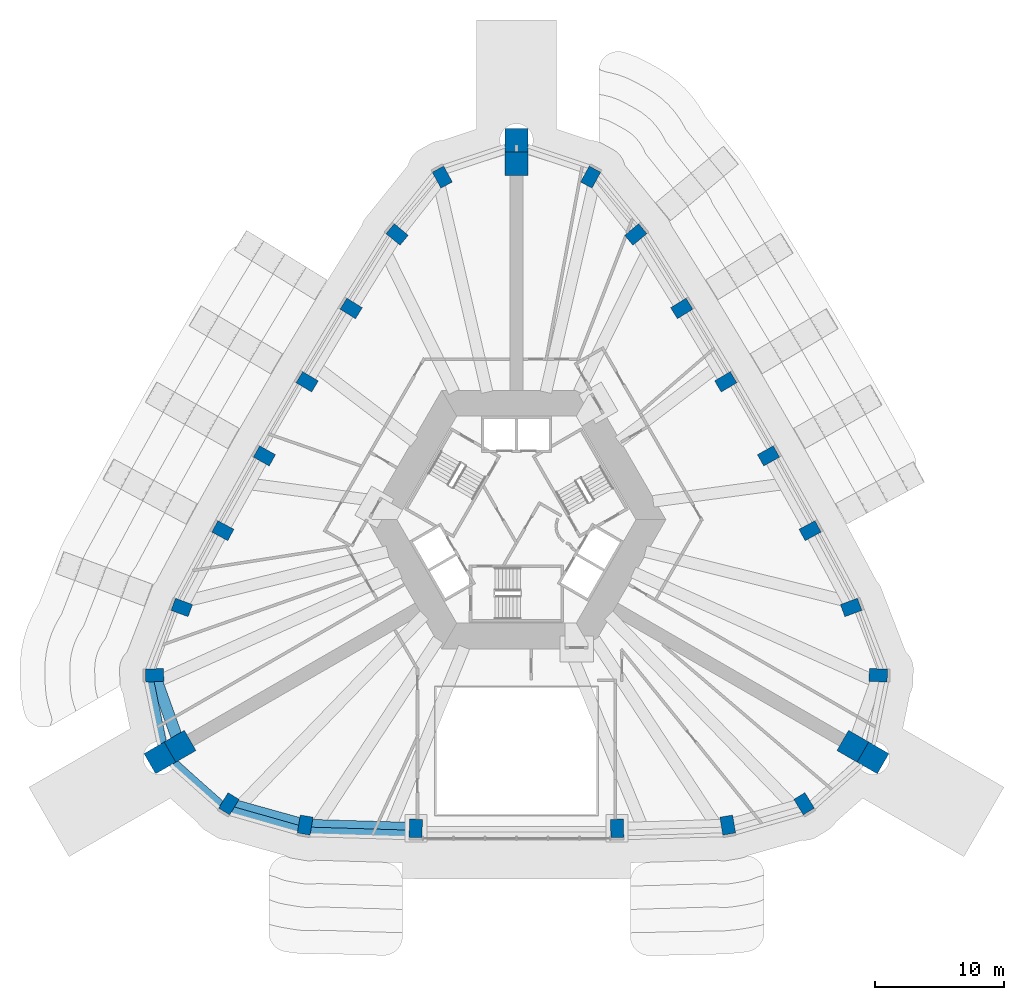
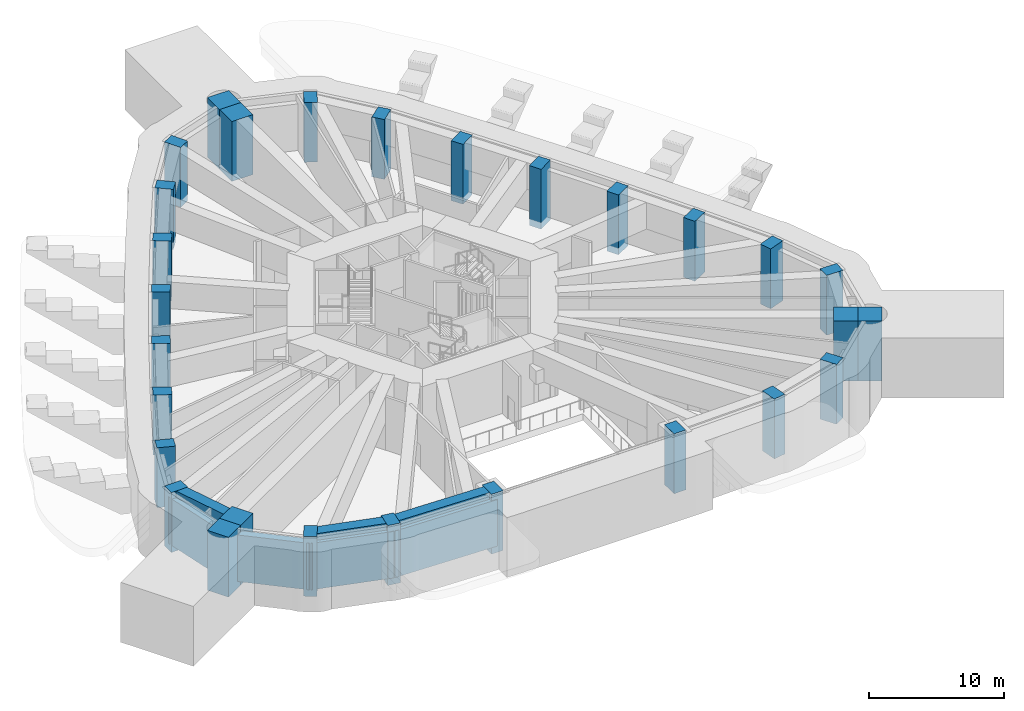
# One storey, part 1 of 16: 28 columns, 4 members, 3 beams.
"""IFC4 building model written with IfcOpenShell, lengths in metres."""

import ifcopenshell
import ifcopenshell.guid

model = None  # the IFC model being written
_history = None  # IfcOwnerHistory: only IFC2X3 demands one
_inside = {}  # id of a spatial element -> (the spatial element, [elements in it])
_under = {}  # id of a project, library or spatial element -> (it, [spatial elements below it])
_declared = {}  # id of a project -> (the project, [libraries it declares])
_typed = {}  # id of a type object -> (the type object, [elements of that type])
_made_of = {}  # id of a material, layer set ... -> (it, [elements and type objects made of it])


def new_model(schema):
    """Start an empty IFC model of exactly this schema.

    Asked for "IFC4X3", IfcOpenShell would pick the latest addendum, in which some entities
    have other attributes; the version numbers below select the first issue.
    IFC2X3 requires an IfcOwnerHistory on every rooted entity: one is made here for all.
    """
    global model, _history
    if schema == "IFC4X3":
        model = ifcopenshell.file(schema_version=(4, 3, 0, 0))
    else:
        model = ifcopenshell.file(schema=schema)
    _inside.clear()
    _under.clear()
    _declared.clear()
    _typed.clear()
    _made_of.clear()
    _history = None
    if model.schema == "IFC2X3":
        org = make("IfcOrganization", Name="unknown")
        user = make(
            "IfcPersonAndOrganization",
            ThePerson=make("IfcPerson", FamilyName="unknown"),
            TheOrganization=org,
        )
        app = make(
            "IfcApplication",
            ApplicationDeveloper=org,
            Version="unknown",
            ApplicationFullName="unknown",
            ApplicationIdentifier="unknown",
        )
        _history = make(
            "IfcOwnerHistory",
            OwningUser=user,
            OwningApplication=app,
            ChangeAction="ADDED",
            CreationDate=0,
        )
    return model


def make(cls, **values):
    """One entity of the class cls with the attributes given. An attribute that is None is left unset."""
    return model.create_entity(
        cls, **{name: value for name, value in values.items() if value is not None}
    )


def rooted(cls, **values):
    """An entity with a GlobalId (a new one), such as an element, a storey or a relation."""
    return make(cls, GlobalId=ifcopenshell.guid.new(), OwnerHistory=_history, **values)


def si_unit(unit_type, name, prefix=None):
    """IfcSIUnit, for example si_unit("LENGTHUNIT", "METRE", prefix="MILLI")."""
    return make("IfcSIUnit", UnitType=unit_type, Prefix=prefix, Name=name)


def assignment(units):
    """IfcUnitAssignment: the units of a project."""
    return None if units is None else make("IfcUnitAssignment", Units=units)


def point(xyz):
    """IfcCartesianPoint."""
    return None if xyz is None else make("IfcCartesianPoint", Coordinates=xyz)


def direction(xyz):
    """IfcDirection."""
    return None if xyz is None else make("IfcDirection", DirectionRatios=xyz)


def frame(location, z_axis=None, x_axis=None):
    """IfcAxis2Placement3D, a coordinate frame: its origin and axes. An axis left out is left unset."""
    return make(
        "IfcAxis2Placement3D",
        Location=point(location),
        Axis=direction(z_axis),
        RefDirection=direction(x_axis),
    )


def frame_2d(location, x_axis=None):
    """IfcAxis2Placement2D, a coordinate frame in the plane: its origin and x axis."""
    return make(
        "IfcAxis2Placement2D", Location=point(location), RefDirection=direction(x_axis)
    )


def origin():
    """The frame at (0, 0, 0) with its axes left unset."""
    return frame((0.0, 0.0, 0.0))


def origin_2d():
    """The frame at (0, 0) in the plane with its x axis left unset."""
    return frame_2d((0.0, 0.0))


def place(relative_to, where):
    """IfcLocalPlacement: puts the frame where relative to a parent placement (None: the world)."""
    return make(
        "IfcLocalPlacement", PlacementRelTo=relative_to, RelativePlacement=where
    )


def context(
    kind, dimensions, precision=None, world=None, true_north=None, identifier=None
):
    """IfcGeometricRepresentationContext, for example the 3D "Model" context."""
    return make(
        "IfcGeometricRepresentationContext",
        ContextIdentifier=identifier,
        ContextType=kind,
        CoordinateSpaceDimension=dimensions,
        Precision=precision,
        WorldCoordinateSystem=world,
        TrueNorth=true_north,
    )


def subcontext(parent, identifier, kind, view, scale=None):
    """IfcGeometricRepresentationSubContext, for example "Body" below "Model"."""
    return make(
        "IfcGeometricRepresentationSubContext",
        ContextIdentifier=identifier,
        ContextType=kind,
        ParentContext=parent,
        TargetScale=scale,
        TargetView=view,
    )


def project(units=None, contexts=None):
    """IfcProject with its units and contexts."""
    return rooted(
        "IfcProject",
        Name="project",
        RepresentationContexts=contexts,
        UnitsInContext=assignment(units),
    )


def spatial(cls, under=None, at=None, **own):
    """A site, building, storey or space (cls), placed at a placement, below another one or the project."""
    s = rooted(cls, ObjectPlacement=at, **own)
    if under is not None:
        _under.setdefault(under.id(), (under, []))[1].append(s)
    return s


def profile(cls, at=None, kind="AREA", **sizes):
    """A parametric profile (cls). Its sizes go by their IFC names, for example OverallWidth=200.0."""
    return make(cls, ProfileType=kind, Position=at, **sizes)


def rectangle(**sizes):
    """IfcRectangleProfileDef."""
    return profile("IfcRectangleProfileDef", **sizes)


def extrude(swept, where, along, depth):
    """IfcExtrudedAreaSolid: the profile swept, set in the frame where, extruded along a direction by depth."""
    return make(
        "IfcExtrudedAreaSolid",
        SweptArea=swept,
        Position=where,
        ExtrudedDirection=direction(along),
        Depth=depth,
    )


def shape(context_of_items, identifier, shape_type, items):
    """IfcShapeRepresentation: the items that make up one representation, for example the "Body"."""
    return make(
        "IfcShapeRepresentation",
        ContextOfItems=context_of_items,
        RepresentationIdentifier=identifier,
        RepresentationType=shape_type,
        Items=items,
    )


def material(Name=None, Category=None):
    """IfcMaterial."""
    return make("IfcMaterial", Name=Name, Category=Category)


def material_profile(
    of_material, cross_section, Name=None, Category=None, Priority=None
):
    """IfcMaterialProfile: a cross section and its material."""
    return make(
        "IfcMaterialProfile",
        Name=Name,
        Material=of_material,
        Profile=cross_section,
        Priority=Priority,
        Category=Category,
    )


def profile_set(profiles, Name=None, composite=None):
    """IfcMaterialProfileSet."""
    return make(
        "IfcMaterialProfileSet",
        Name=Name,
        MaterialProfiles=profiles,
        CompositeProfile=composite,
    )


def made_of(thing, what):
    """Note that an element or type object is made of a material, layer set ...; save() writes the relation."""
    if what is not None:
        _made_of.setdefault(what.id(), (what, []))[1].append(thing)
    return thing


def type_object(cls, material=None, **own):
    """A type object (cls), such as IfcWallType, which elements share."""
    return made_of(rooted(cls, **own), material)


def element(
    cls,
    number,
    at=None,
    inside=None,
    cuts=None,
    type_object=None,
    material=None,
    context=None,
    identifier="Body",
    shape_type=None,
    held_by="IfcProductDefinitionShape",
    body=None,
    shapes=None,
    **own,
):
    """One element of the class cls, such as IfcWall. Its Tag is "e" and its number.

    at: its placement. inside: the storey or other place that contains it. cuts: it is an
    opening in that element (IfcRelVoidsElement). A single representation is given by context,
    identifier, shape_type and body (its items); several are given by shapes. held_by: the class
    of the entity that holds the representations. save() writes the other relations.
    """
    e = rooted(cls, Tag="e%d" % number, ObjectPlacement=at, **own)
    if body is not None:
        shapes = [shape(context, identifier, shape_type, body)]
    if shapes is not None:
        e.Representation = make(held_by, Representations=shapes)
    if inside is not None:
        _inside.setdefault(inside.id(), (inside, []))[1].append(e)
    if cuts is not None:
        rooted(
            "IfcRelVoidsElement", RelatingBuildingElement=cuts, RelatedOpeningElement=e
        )
    if type_object is not None:
        _typed.setdefault(type_object.id(), (type_object, []))[1].append(e)
    return made_of(e, material)


def aggregate(whole, parts):
    """IfcRelAggregates: a whole, such as a stair, and the parts it consists of."""
    return rooted("IfcRelAggregates", RelatingObject=whole, RelatedObjects=parts)


def save(model, path):
    """Write the relations noted so far, then the file.

    IfcRelAggregates (storeys below a building ...), IfcRelContainedInSpatialStructure (elements
    in a storey), IfcRelDefinesByType, IfcRelAssociatesMaterial and IfcRelDeclares: one each for
    every whole, place, type object, material and project.
    """
    for whole, parts in _under.values():
        aggregate(whole, parts)
    for where, things in _inside.values():
        rooted(
            "IfcRelContainedInSpatialStructure",
            RelatedElements=things,
            RelatingStructure=where,
        )
    for kind, things in _typed.values():
        rooted("IfcRelDefinesByType", RelatedObjects=things, RelatingType=kind)
    for what, things in _made_of.values():
        rooted("IfcRelAssociatesMaterial", RelatedObjects=things, RelatingMaterial=what)
    for by, libraries in _declared.values():
        rooted("IfcRelDeclares", RelatingContext=by, RelatedDefinitions=libraries)
    model.write(path)


model = new_model("IFC4")

# Units and contexts
model_context = context("Model", 3, precision=1e-05, world=origin(), true_north=direction((0.0, 1.0)))
body_context = subcontext(model_context, "Body", "Model", "MODEL_VIEW")
ifc_project = project(units=[si_unit("LENGTHUNIT", "METRE"), si_unit("AREAUNIT", "SQUARE_METRE"), si_unit("VOLUMEUNIT", "CUBIC_METRE"), si_unit("PLANEANGLEUNIT", "RADIAN"), si_unit("MASSUNIT", "GRAM", prefix="KILO")], contexts=[model_context])

# Site, building, storey
site_placement = place(None, origin())
site = spatial("IfcSite", under=ifc_project, at=site_placement, CompositionType="ELEMENT")
building_placement = place(site_placement, origin())
building = spatial("IfcBuilding", under=site, at=building_placement, Name="Entoto Arch Interchange Tower", CompositionType="ELEMENT")
storey_placement = place(building_placement, frame((0.0, 0.0, 281.0)))
storey = spatial("IfcBuildingStorey", under=building, at=storey_placement, Name="L65", CompositionType="ELEMENT", Elevation=281.0)

# Columns
ifc_material_1 = material(Name="Concrete C40/50", Category="concrete")
ifc_material_profile_1 = material_profile(ifc_material_1, rectangle(XDim=1.0, YDim=1.39990234375, at=origin_2d()))
ifc_profile_set_1 = profile_set([ifc_material_profile_1], Name="Concrete C40/50")
column_type_1 = type_object("IfcColumnType", Name="Column RC 1000x1400 C40/50", PredefinedType="COLUMN", material=ifc_profile_set_1)
for number, where, z_axis, x_axis, name in (
    (1, (-16.330078125, -21.10400390625, -0.60009765625), (0.0, 0.0, 1.0), (-0.985952343326, 0.167026874157, 0.0), "Column S01 L65"),
    (2, (-7.783935546875, -21.35400390625, -0.60009765625), (0.0, 0.0, 1.0), (-0.999832723398, 0.018290030661, 0.0), "Column S02 L65"),
    (3, (7.783935546875, -21.35400390625, -0.60009765625), (0.0, 0.0, 1.0), (0.999832723398, 0.018290030661, 0.0), "Column S03 L65"),
    (4, (16.330078125, -21.10400390625, -0.60009765625), (0.0, 0.0, 1.0), (0.985952343326, 0.167026874157, 0.0), "Column S04 L65"),
    (5, (22.23095703125, -19.45703125, -0.60009765625), (0.0, 0.0, 1.0), (0.853341581839, 0.521352227103, 0.0), "Column SE1 L65"),
    (6, (27.965087890625, -9.52392578125, -0.60009765625), (0.0, 0.0, 1.0), (0.024833482072, 0.999691601529, 0.0), "Column SE3 L65"),
    (7, (25.868896484375, -4.284912109375, -0.60009765625), (0.0, 0.0, 1.0), (-0.346853804003, 0.937919206888, 0.0), "Column NE01 L65"),
    (8, (22.693115234375, 1.64892578125, -0.60009765625), (0.0, 0.0, 1.0), (-0.473980634908, 0.880535267739, 0.0), "Column NE02 L65"),
    (9, (19.48095703125, 7.429931640625, -0.60009765625), (0.0, 0.0, 1.0), (-0.491375053773, 0.870948079124, 0.0), "Column NE03 L65"),
    (10, (16.175048828125, 13.156005859375, -0.60009765625), (0.0, 0.0, 1.0), (-0.508575635012, 0.861017318916, 0.0), "Column NE04 L65"),
    (11, (12.77392578125, 18.827880859375, -0.60009765625), (0.0, 0.0, 1.0), (-0.525575593337, 0.850746904601, 0.0), "Column NE05 L65"),
    (12, (9.222900390625, 24.5458984375, -0.60009765625), (0.0, 0.0, 1.0), (-0.638834957861, 0.769343809109, 0.0), "Column NE06 L65"),
    (13, (5.73388671875, 28.98095703125, -0.60009765625), (0.0, 0.0, 1.0), (-0.87817506391, 0.478339374426, 0.0), "Column N1 L65"),
    (14, (-5.73388671875, 28.98095703125, -0.60009765625), (0.0, 0.0, 1.0), (0.87817506391, 0.478339374426, 0.0), "Column N3 L65"),
    (15, (-9.222900390625, 24.5458984375, -0.60009765625), (0.0, 0.0, 1.0), (0.638834957861, 0.769343809109, 0.0), "Column NW01 L65"),
    (16, (-12.77392578125, 18.827880859375, -0.60009765625), (0.0, 0.0, 1.0), (0.525575593337, 0.850746904601, 0.0), "Column NW02 L65"),
    (17, (-16.175048828125, 13.156005859375, -0.60009765625), (0.0, 0.0, 1.0), (0.508575635012, 0.861017318916, 0.0), "Column NW03 L65"),
    (18, (-19.48095703125, 7.429931640625, -0.60009765625), (0.0, 0.0, 1.0), (0.491375053773, 0.870948079124, 0.0), "Column NW04 L65"),
    (19, (-22.693115234375, 1.64892578125, -0.60009765625), (0.0, 0.0, 1.0), (0.473980634908, 0.880535267739, 0.0), "Column NW05 L65"),
    (20, (-25.868896484375, -4.284912109375, -0.60009765625), (0.0, 0.0, 1.0), (0.346853804003, 0.937919206888, 0.0), "Column NW06 L65"),
    (21, (-27.965087890625, -9.52392578125, -0.60009765625), (0.0, 0.0, 1.0), (-0.024833482072, 0.999691601529, 0.0), "Column SW1 L65"),
    (22, (-22.23095703125, -19.45703125, -0.60009765625), (0.0, 0.0, 1.0), (-0.853341581839, 0.521352227103, 0.0), "Column SW3 L65"),
):
    element("IfcColumn", number, at=place(storey_placement, frame(where, z_axis=z_axis, x_axis=x_axis)), inside=storey, type_object=column_type_1, Name=name, PredefinedType="COLUMN", context=body_context, shape_type="SweptSolid", body=[
        extrude(rectangle(XDim=1.0, YDim=1.39990234375, at=origin_2d()), origin(), (0.0, 0.0, 1.0), 5.400146484375),
    ])
ifc_material_2 = material(Name="Precast concrete C40/50", Category="concrete")
ifc_material_profile_2 = material_profile(ifc_material_2, rectangle(XDim=1.800048828125, YDim=1.800048828125, at=origin_2d()))
ifc_profile_set_2 = profile_set([ifc_material_profile_2], Name="Precast concrete C40/50")
column_type_2 = type_object("IfcColumnType", Name="Frame post RC 1800x1800 precast C40/50", PredefinedType="COLUMN", material=ifc_profile_set_2)
for number, where, z_axis, x_axis, name in (
    (23, (27.56005859375, -15.912109375, -0.60009765625), (0.0, 0.0, 1.0), (-0.866025403784, 0.5, 0.0), "Frame post SE L65"),
    (24, (0.0, 31.823974609375, -0.60009765625), (0.0, 0.0, 1.0), (0.0, 1.0, 0.0), "Frame post N L65"),
    (25, (-27.56005859375, -15.912109375, -0.60009765625), (0.0, 0.0, 1.0), (0.866025403784, 0.5, 0.0), "Frame post SW L65"),
):
    element("IfcColumn", number, at=place(storey_placement, frame(where, z_axis=z_axis, x_axis=x_axis)), inside=storey, type_object=column_type_2, Name=name, PredefinedType="COLUMN", context=body_context, shape_type="SweptSolid", body=[
        extrude(rectangle(XDim=1.800048828125, YDim=1.800048828125, at=origin_2d()), origin(), (0.0, 0.0, 1.0), 5.400146484375),
    ])
ifc_material_profile_3 = material_profile(ifc_material_1, rectangle(XDim=1.800048828125, YDim=1.800048828125, at=origin_2d()))
ifc_profile_set_3 = profile_set([ifc_material_profile_3], Name="Concrete C40/50")
column_type_3 = type_object("IfcColumnType", Name="Mega column RC 1800x1800 C40/50", PredefinedType="COLUMN", material=ifc_profile_set_3)
for number, where, z_axis, x_axis, name in (
    (26, (26.0009765625, -15.011962890625, -0.60009765625), (0.0, 0.0, 1.0), (-0.866025403784, 0.5, 0.0), "Corner mega column SE2 L65"),
    (27, (0.0, 30.02392578125, -0.60009765625), (0.0, 0.0, 1.0), (0.0, 1.0, 0.0), "Corner mega column N2 L65"),
    (28, (-26.0009765625, -15.011962890625, -0.60009765625), (0.0, 0.0, 1.0), (0.866025403784, 0.5, 0.0), "Corner mega column SW2 L65"),
):
    element("IfcColumn", number, at=place(storey_placement, frame(where, z_axis=z_axis, x_axis=x_axis)), inside=storey, type_object=column_type_3, Name=name, PredefinedType="COLUMN", context=body_context, shape_type="SweptSolid", body=[
        extrude(rectangle(XDim=1.800048828125, YDim=1.800048828125, at=origin_2d()), origin(), (0.0, 0.0, 1.0), 5.400146484375),
    ])

# Members
ifc_material_profile_4 = material_profile(ifc_material_1, rectangle(XDim=0.60009765625, YDim=4.199951171875, at=origin_2d()))
ifc_profile_set_4 = profile_set([ifc_material_profile_4], Name="Concrete C40/50")
member_type = type_object("IfcMemberType", Name="Belt member RC 600x4200 C40/50", PredefinedType="USERDEFINED", material=ifc_profile_set_4)
member_1_placement = place(storey_placement, frame((-16.410888671875, -21.548095703125, 2.10009765625), z_axis=(0.999541750492, -0.030270266333, 0.0), x_axis=(0.030270266333, 0.999541750492, 0.0)))
element("IfcMember", 29, at=member_1_placement, inside=storey, type_object=member_type, Name="Belt beam 01 L65", ObjectType="BELT BEAM", PredefinedType="USERDEFINED", context=body_context, shape_type="SweptSolid", body=[
    extrude(rectangle(XDim=0.60009765625, YDim=4.199951171875, at=origin_2d()), origin(), (0.0, 0.0, 1.0), 8.621826171875),
])
member_2_placement = place(storey_placement, frame((-28.403076171875, -9.5849609375, 2.10009765625), z_axis=(0.200816651334, -0.979628844281, 0.0), x_axis=(0.979628844281, 0.200816651334, 0.0)))
element("IfcMember", 30, at=member_2_placement, inside=storey, type_object=member_type, Name="Belt beam 23 L65", ObjectType="BELT BEAM", PredefinedType="USERDEFINED", context=body_context, shape_type="SweptSolid", body=[
    extrude(rectangle(XDim=0.60009765625, YDim=4.199951171875, at=origin_2d()), origin(), (0.0, 0.0, 1.0), 6.2197265625),
])
member_3_placement = place(storey_placement, frame((-27.154052734375, -15.677978515625, 2.10009765625), z_axis=(0.747956669932, -0.663747557362, 0.0), x_axis=(0.663747557362, 0.747956669932, 0.0)))
element("IfcMember", 31, at=member_3_placement, inside=storey, type_object=member_type, Name="Belt beam 24 L65", ObjectType="BELT BEAM", PredefinedType="USERDEFINED", context=body_context, shape_type="SweptSolid", body=[
    extrude(rectangle(XDim=0.60009765625, YDim=4.199951171875, at=origin_2d()), origin(), (0.0, 0.0, 1.0), 6.247802734375),
])
member_4_placement = place(storey_placement, frame((-22.48095703125, -19.824951171875, 2.10009765625), z_axis=(0.961989776661, -0.273085462079, 0.0), x_axis=(0.273085462079, 0.961989776661, 0.0)))
element("IfcMember", 32, at=member_4_placement, inside=storey, type_object=member_type, Name="Belt beam 25 L65", ObjectType="BELT BEAM", PredefinedType="USERDEFINED", context=body_context, shape_type="SweptSolid", body=[
    extrude(rectangle(XDim=0.60009765625, YDim=4.199951171875, at=origin_2d()), origin(), (0.0, 0.0, 1.0), 6.309814453125),
])

# Beams
ifc_material_profile_5 = material_profile(ifc_material_1, rectangle(XDim=0.89990234375, YDim=2.39990234375, at=origin_2d()))
ifc_profile_set_5 = profile_set([ifc_material_profile_5], Name="Concrete C40/50")
beam_type = type_object("IfcBeamType", Name="Transfer beam RC 900x2400 C40/50", PredefinedType="BEAM", material=ifc_profile_set_5)
beam_1_placement = place(storey_placement, frame((-16.330078125, -21.10400390625, 3.60009765625), z_axis=(0.999572406463, -0.029240455484, 0.0), x_axis=(0.029240455484, 0.999572406463, 0.0)))
element("IfcBeam", 33, at=beam_1_placement, inside=storey, type_object=beam_type, Name="Transfer girder S01 L65", PredefinedType="BEAM", context=body_context, shape_type="SweptSolid", body=[
    extrude(rectangle(XDim=0.89990234375, YDim=2.39990234375, at=origin_2d()), origin(), (0.0, 0.0, 1.0), 8.5498046875),
])
beam_2_placement = place(storey_placement, frame((-27.965087890625, -9.52392578125, 3.60009765625), z_axis=(0.336959850951, -0.941519016721, 0.0), x_axis=(0.941519016721, 0.336959850951, 0.0)))
element("IfcBeam", 34, at=beam_2_placement, inside=storey, type_object=beam_type, Name="Transfer girder SW1 L65", PredefinedType="BEAM", context=body_context, shape_type="SweptSolid", body=[
    extrude(rectangle(XDim=0.89990234375, YDim=2.39990234375, at=origin_2d()), origin(), (0.0, 0.0, 1.0), 5.828857421875),
])
beam_3_placement = place(storey_placement, frame((-22.23095703125, -19.45703125, 3.60009765625), z_axis=(0.963187182947, -0.268831639891, 0.0), x_axis=(0.268831639891, 0.963187182947, 0.0)))
element("IfcBeam", 35, at=beam_3_placement, inside=storey, type_object=beam_type, Name="Transfer girder SW3 L65", PredefinedType="BEAM", context=body_context, shape_type="SweptSolid", body=[
    extrude(rectangle(XDim=0.89990234375, YDim=2.39990234375, at=origin_2d()), origin(), (0.0, 0.0, 1.0), 6.12646484375),
])

save(model, "model.ifc")
